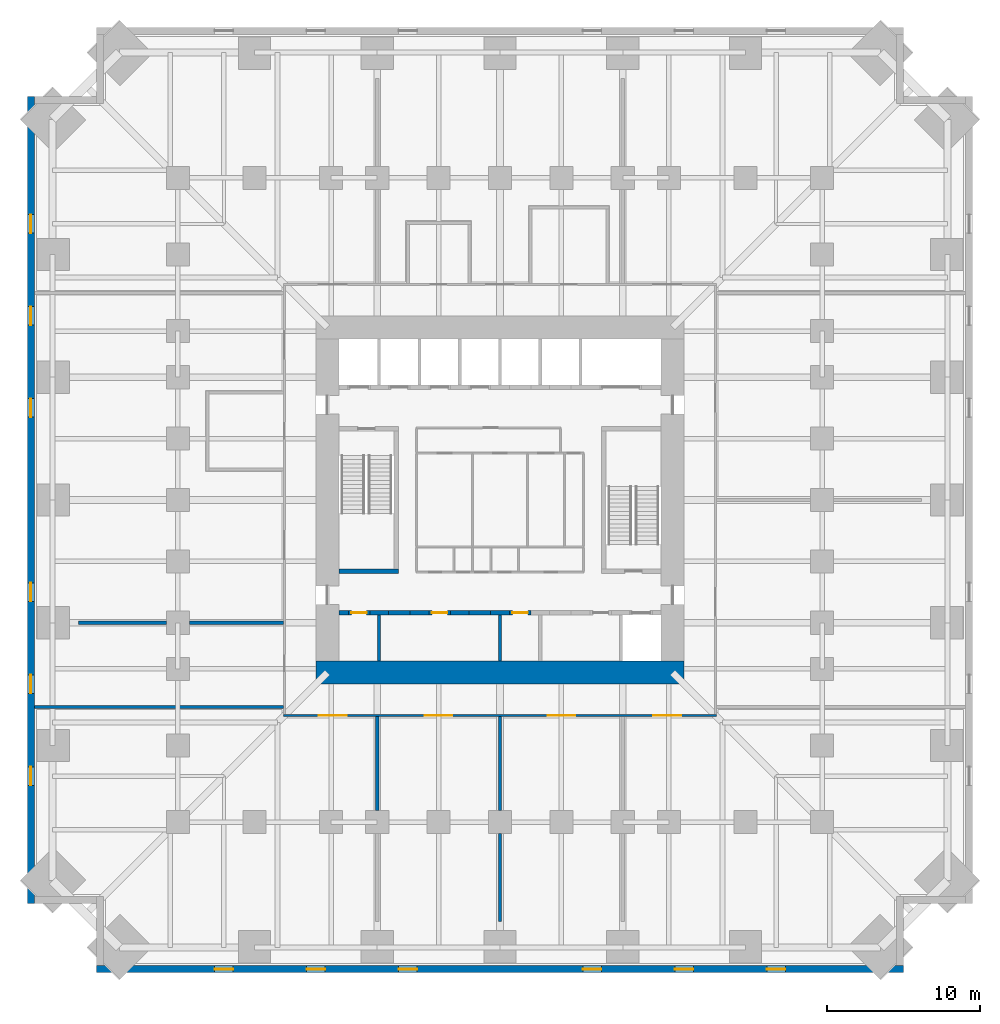
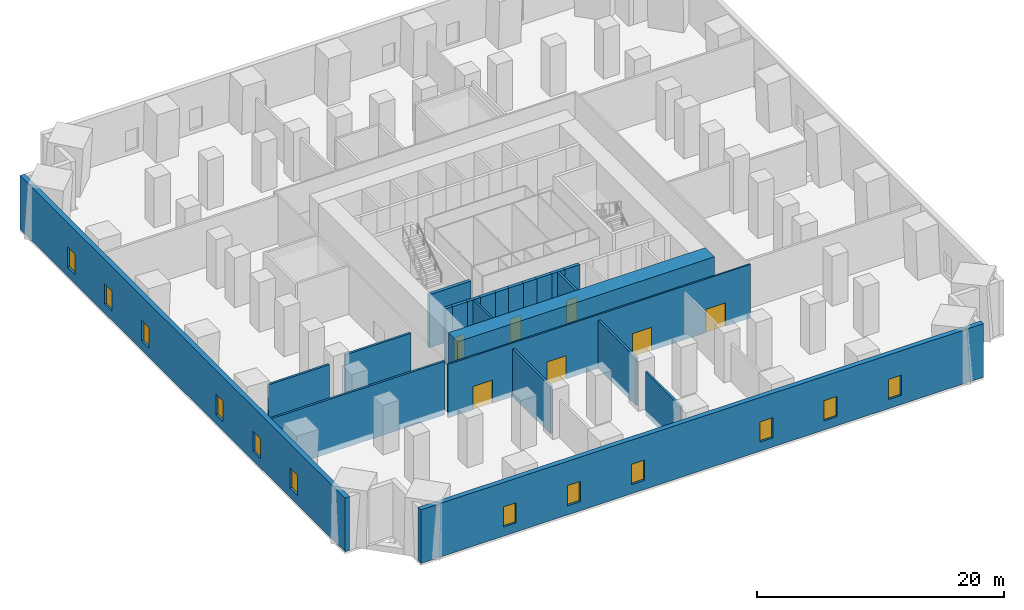
# One storey, part 3 of 8: 23 walls, 12 windows, 7 doors, 19 openings.
"""IFC4 building model written with IfcOpenShell, lengths in metres."""

from ifc_helpers import new_model, si_unit, direction, frame, frame_2d, origin, place, context, subcontext, project, spatial, rectangle, extrude, material, layer, layer_set, type_object, element, fill, save


model = new_model("IFC4")

# Units and contexts
model_context = context("Model", 3, precision=1e-05, world=origin(), true_north=direction((0.0, 1.0)))
body_context = subcontext(model_context, "Body", "Model", "MODEL_VIEW")
ifc_project = project(units=[si_unit("LENGTHUNIT", "METRE"), si_unit("AREAUNIT", "SQUARE_METRE"), si_unit("VOLUMEUNIT", "CUBIC_METRE"), si_unit("PLANEANGLEUNIT", "RADIAN"), si_unit("MASSUNIT", "GRAM", prefix="KILO")], contexts=[model_context])

# Site, building, storey
site_placement = place(None, origin())
site = spatial("IfcSite", under=ifc_project, at=site_placement, CompositionType="ELEMENT")
building_placement = place(site_placement, origin())
building = spatial("IfcBuilding", under=site, at=building_placement, Name="Peilmerk Tower", CompositionType="ELEMENT")
storey_placement = place(building_placement, frame((0.0, 0.0, 43.0)))
storey = spatial("IfcBuildingStorey", under=building, at=storey_placement, Name="L08", CompositionType="ELEMENT", Elevation=43.0)

# Wall, openings, windows
ifc_material_1 = material(Name="Precast concrete C45/55, board-marked finish", Category="concrete")
ifc_layer_1 = layer(ifc_material_1, 0.449951171875)
ifc_layer_set_1 = layer_set([ifc_layer_1], Name="Precast concrete C45/55, board-marked finish")
wall_type_1 = type_object("IfcWallType", Name="EW1 450 precast concrete facade wall, board-marked", PredefinedType="SOLIDWALL", material=ifc_layer_set_1)
wall_1_placement = place(storey_placement, frame((-26.300048828125, -30.574951171875, 0.0), z_axis=(0.0, 0.0, 1.0), x_axis=(1.0, 0.0, 0.0)))
wall_1 = element("IfcWall", 1, at=wall_1_placement, inside=storey, type_object=wall_type_1, Name="Facade wall S L08", PredefinedType="SOLIDWALL", context=body_context, shape_type="SweptSolid", body=[
    extrude(rectangle(XDim=52.60009765625, YDim=0.449951171875, at=frame_2d((26.300048828125, 0.0))), origin(), (0.0, 0.0, 1.0), 5.300048828125),
])
opening_1_placement = place(wall_1_placement, frame((7.699951171875, 0.0, 0.89990234375)))
opening_1 = element("IfcOpeningElement", 2, at=opening_1_placement, cuts=wall_1, Name="Opening W2", PredefinedType="OPENING", context=body_context, shape_type="SweptSolid", body=[
    extrude(rectangle(XDim=1.199951171875, YDim=2.0, at=frame_2d((0.60009765625, 1.0))), frame((0.0, 0.23486328125, 0.0), z_axis=(0.0, -1.0, 0.0), x_axis=(1.0, 0.0, 0.0)), (0.0, 0.0, 1.0), 0.469970703125),
])
opening_2_placement = place(wall_1_placement, frame((13.699951171875, 0.0, 0.89990234375)))
opening_2 = element("IfcOpeningElement", 3, at=opening_2_placement, cuts=wall_1, Name="Opening W2", PredefinedType="OPENING", context=body_context, shape_type="SweptSolid", body=[
    extrude(rectangle(XDim=1.199951171875, YDim=2.0, at=frame_2d((0.60009765625, 1.0))), frame((0.0, 0.23486328125, 0.0), z_axis=(0.0, -1.0, 0.0), x_axis=(1.0, 0.0, 0.0)), (0.0, 0.0, 1.0), 0.469970703125),
])
opening_3_placement = place(wall_1_placement, frame((19.699951171875, 0.0, 0.89990234375)))
opening_3 = element("IfcOpeningElement", 4, at=opening_3_placement, cuts=wall_1, Name="Opening W2", PredefinedType="OPENING", context=body_context, shape_type="SweptSolid", body=[
    extrude(rectangle(XDim=1.199951171875, YDim=2.0, at=frame_2d((0.60009765625, 1.0))), frame((0.0, 0.23486328125, 0.0), z_axis=(0.0, -1.0, 0.0), x_axis=(1.0, 0.0, 0.0)), (0.0, 0.0, 1.0), 0.469970703125),
])
opening_4_placement = place(wall_1_placement, frame((31.699951171875, 0.0, 0.89990234375)))
opening_4 = element("IfcOpeningElement", 5, at=opening_4_placement, cuts=wall_1, Name="Opening W2", PredefinedType="OPENING", context=body_context, shape_type="SweptSolid", body=[
    extrude(rectangle(XDim=1.199951171875, YDim=2.0, at=frame_2d((0.60009765625, 1.0))), frame((0.0, 0.23486328125, 0.0), z_axis=(0.0, -1.0, 0.0), x_axis=(1.0, 0.0, 0.0)), (0.0, 0.0, 1.0), 0.469970703125),
])
opening_5_placement = place(wall_1_placement, frame((37.699951171875, 0.0, 0.89990234375)))
opening_5 = element("IfcOpeningElement", 6, at=opening_5_placement, cuts=wall_1, Name="Opening W2", PredefinedType="OPENING", context=body_context, shape_type="SweptSolid", body=[
    extrude(rectangle(XDim=1.199951171875, YDim=2.0, at=frame_2d((0.60009765625, 1.0))), frame((0.0, 0.23486328125, 0.0), z_axis=(0.0, -1.0, 0.0), x_axis=(1.0, 0.0, 0.0)), (0.0, 0.0, 1.0), 0.469970703125),
])
opening_6_placement = place(wall_1_placement, frame((43.699951171875, 0.0, 0.89990234375)))
opening_6 = element("IfcOpeningElement", 7, at=opening_6_placement, cuts=wall_1, Name="Opening W2", PredefinedType="OPENING", context=body_context, shape_type="SweptSolid", body=[
    extrude(rectangle(XDim=1.199951171875, YDim=2.0, at=frame_2d((0.60009765625, 1.0))), frame((0.0, 0.23486328125, 0.0), z_axis=(0.0, -1.0, 0.0), x_axis=(1.0, 0.0, 0.0)), (0.0, 0.0, 1.0), 0.469970703125),
])
ifc_material_2 = material(Name="Aluminium frame, clear double glazing", Category="aluminium")
window_type = type_object("IfcWindowType", Name="W2 1200x2000 data hall slot window", PartitioningType="SINGLE_PANEL", PredefinedType="WINDOW", material=ifc_material_2)
window_1_placement = place(opening_1_placement, origin())
window_1 = element("IfcWindow", 8, at=window_1_placement, inside=storey, type_object=window_type, Name="Window W2 L08", OverallHeight=2.0, OverallWidth=1.199951171875, PartitioningType="SINGLE_PANEL", PredefinedType="WINDOW", context=body_context, shape_type="SweptSolid", body=[
    extrude(rectangle(XDim=1.199951171875, YDim=2.0, at=frame_2d((0.60009765625, 1.0))), frame((0.0, 0.030029296875, 0.0), z_axis=(0.0, -1.0, 0.0), x_axis=(1.0, 0.0, 0.0)), (0.0, 0.0, 1.0), 0.06005859375),
])
fill(opening_1, window_1)
window_2_placement = place(opening_2_placement, origin())
window_2 = element("IfcWindow", 9, at=window_2_placement, inside=storey, type_object=window_type, Name="Window W2 L08", OverallHeight=2.0, OverallWidth=1.199951171875, PartitioningType="SINGLE_PANEL", PredefinedType="WINDOW", context=body_context, shape_type="SweptSolid", body=[
    extrude(rectangle(XDim=1.199951171875, YDim=2.0, at=frame_2d((0.60009765625, 1.0))), frame((0.0, 0.030029296875, 0.0), z_axis=(0.0, -1.0, 0.0), x_axis=(1.0, 0.0, 0.0)), (0.0, 0.0, 1.0), 0.06005859375),
])
fill(opening_2, window_2)
window_3_placement = place(opening_3_placement, origin())
window_3 = element("IfcWindow", 10, at=window_3_placement, inside=storey, type_object=window_type, Name="Window W2 L08", OverallHeight=2.0, OverallWidth=1.199951171875, PartitioningType="SINGLE_PANEL", PredefinedType="WINDOW", context=body_context, shape_type="SweptSolid", body=[
    extrude(rectangle(XDim=1.199951171875, YDim=2.0, at=frame_2d((0.60009765625, 1.0))), frame((0.0, 0.030029296875, 0.0), z_axis=(0.0, -1.0, 0.0), x_axis=(1.0, 0.0, 0.0)), (0.0, 0.0, 1.0), 0.06005859375),
])
fill(opening_3, window_3)
window_4_placement = place(opening_4_placement, origin())
window_4 = element("IfcWindow", 11, at=window_4_placement, inside=storey, type_object=window_type, Name="Window W2 L08", OverallHeight=2.0, OverallWidth=1.199951171875, PartitioningType="SINGLE_PANEL", PredefinedType="WINDOW", context=body_context, shape_type="SweptSolid", body=[
    extrude(rectangle(XDim=1.199951171875, YDim=2.0, at=frame_2d((0.60009765625, 1.0))), frame((0.0, 0.030029296875, 0.0), z_axis=(0.0, -1.0, 0.0), x_axis=(1.0, 0.0, 0.0)), (0.0, 0.0, 1.0), 0.06005859375),
])
fill(opening_4, window_4)
window_5_placement = place(opening_5_placement, origin())
window_5 = element("IfcWindow", 12, at=window_5_placement, inside=storey, type_object=window_type, Name="Window W2 L08", OverallHeight=2.0, OverallWidth=1.199951171875, PartitioningType="SINGLE_PANEL", PredefinedType="WINDOW", context=body_context, shape_type="SweptSolid", body=[
    extrude(rectangle(XDim=1.199951171875, YDim=2.0, at=frame_2d((0.60009765625, 1.0))), frame((0.0, 0.030029296875, 0.0), z_axis=(0.0, -1.0, 0.0), x_axis=(1.0, 0.0, 0.0)), (0.0, 0.0, 1.0), 0.06005859375),
])
fill(opening_5, window_5)
window_6_placement = place(opening_6_placement, origin())
window_6 = element("IfcWindow", 13, at=window_6_placement, inside=storey, type_object=window_type, Name="Window W2 L08", OverallHeight=2.0, OverallWidth=1.199951171875, PartitioningType="SINGLE_PANEL", PredefinedType="WINDOW", context=body_context, shape_type="SweptSolid", body=[
    extrude(rectangle(XDim=1.199951171875, YDim=2.0, at=frame_2d((0.60009765625, 1.0))), frame((0.0, 0.030029296875, 0.0), z_axis=(0.0, -1.0, 0.0), x_axis=(1.0, 0.0, 0.0)), (0.0, 0.0, 1.0), 0.06005859375),
])
fill(opening_6, window_6)

wall_2_placement = place(storey_placement, frame((-30.574951171875, 26.300048828125, 0.0), z_axis=(0.0, 0.0, 1.0), x_axis=(0.0, -1.0, 0.0)))
wall_2 = element("IfcWall", 14, at=wall_2_placement, inside=storey, type_object=wall_type_1, Name="Facade wall W L08", PredefinedType="SOLIDWALL", context=body_context, shape_type="SweptSolid", body=[
    extrude(rectangle(XDim=52.60009765625, YDim=0.449951171875, at=frame_2d((26.300048828125, 0.0))), origin(), (0.0, 0.0, 1.0), 5.300048828125),
])
opening_7_placement = place(wall_2_placement, frame((7.699951171875, 0.0, 0.89990234375)))
opening_7 = element("IfcOpeningElement", 15, at=opening_7_placement, cuts=wall_2, Name="Opening W2", PredefinedType="OPENING", context=body_context, shape_type="SweptSolid", body=[
    extrude(rectangle(XDim=1.199951171875, YDim=2.0, at=frame_2d((0.60009765625, 1.0))), frame((0.0, 0.23486328125, 0.0), z_axis=(0.0, -1.0, 0.0), x_axis=(1.0, 0.0, 0.0)), (0.0, 0.0, 1.0), 0.469970703125),
])
opening_8_placement = place(wall_2_placement, frame((13.699951171875, 0.0, 0.89990234375)))
opening_8 = element("IfcOpeningElement", 16, at=opening_8_placement, cuts=wall_2, Name="Opening W2", PredefinedType="OPENING", context=body_context, shape_type="SweptSolid", body=[
    extrude(rectangle(XDim=1.199951171875, YDim=2.0, at=frame_2d((0.60009765625, 1.0))), frame((0.0, 0.23486328125, 0.0), z_axis=(0.0, -1.0, 0.0), x_axis=(1.0, 0.0, 0.0)), (0.0, 0.0, 1.0), 0.469970703125),
])
opening_9_placement = place(wall_2_placement, frame((19.699951171875, 0.0, 0.89990234375)))
opening_9 = element("IfcOpeningElement", 17, at=opening_9_placement, cuts=wall_2, Name="Opening W2", PredefinedType="OPENING", context=body_context, shape_type="SweptSolid", body=[
    extrude(rectangle(XDim=1.199951171875, YDim=2.0, at=frame_2d((0.60009765625, 1.0))), frame((0.0, 0.23486328125, 0.0), z_axis=(0.0, -1.0, 0.0), x_axis=(1.0, 0.0, 0.0)), (0.0, 0.0, 1.0), 0.469970703125),
])
opening_10_placement = place(wall_2_placement, frame((31.699951171875, 0.0, 0.89990234375)))
opening_10 = element("IfcOpeningElement", 18, at=opening_10_placement, cuts=wall_2, Name="Opening W2", PredefinedType="OPENING", context=body_context, shape_type="SweptSolid", body=[
    extrude(rectangle(XDim=1.199951171875, YDim=2.0, at=frame_2d((0.60009765625, 1.0))), frame((0.0, 0.23486328125, 0.0), z_axis=(0.0, -1.0, 0.0), x_axis=(1.0, 0.0, 0.0)), (0.0, 0.0, 1.0), 0.469970703125),
])
opening_11_placement = place(wall_2_placement, frame((37.699951171875, 0.0, 0.89990234375)))
opening_11 = element("IfcOpeningElement", 19, at=opening_11_placement, cuts=wall_2, Name="Opening W2", PredefinedType="OPENING", context=body_context, shape_type="SweptSolid", body=[
    extrude(rectangle(XDim=1.199951171875, YDim=2.0, at=frame_2d((0.60009765625, 1.0))), frame((0.0, 0.23486328125, 0.0), z_axis=(0.0, -1.0, 0.0), x_axis=(1.0, 0.0, 0.0)), (0.0, 0.0, 1.0), 0.469970703125),
])
opening_12_placement = place(wall_2_placement, frame((43.699951171875, 0.0, 0.89990234375)))
opening_12 = element("IfcOpeningElement", 20, at=opening_12_placement, cuts=wall_2, Name="Opening W2", PredefinedType="OPENING", context=body_context, shape_type="SweptSolid", body=[
    extrude(rectangle(XDim=1.199951171875, YDim=2.0, at=frame_2d((0.60009765625, 1.0))), frame((0.0, 0.23486328125, 0.0), z_axis=(0.0, -1.0, 0.0), x_axis=(1.0, 0.0, 0.0)), (0.0, 0.0, 1.0), 0.469970703125),
])
window_7_placement = place(opening_7_placement, origin())
window_7 = element("IfcWindow", 21, at=window_7_placement, inside=storey, type_object=window_type, Name="Window W2 L08", OverallHeight=2.0, OverallWidth=1.199951171875, PartitioningType="SINGLE_PANEL", PredefinedType="WINDOW", context=body_context, shape_type="SweptSolid", body=[
    extrude(rectangle(XDim=1.199951171875, YDim=2.0, at=frame_2d((0.60009765625, 1.0))), frame((0.0, 0.030029296875, 0.0), z_axis=(0.0, -1.0, 0.0), x_axis=(1.0, 0.0, 0.0)), (0.0, 0.0, 1.0), 0.06005859375),
])
fill(opening_7, window_7)
window_8_placement = place(opening_8_placement, origin())
window_8 = element("IfcWindow", 22, at=window_8_placement, inside=storey, type_object=window_type, Name="Window W2 L08", OverallHeight=2.0, OverallWidth=1.199951171875, PartitioningType="SINGLE_PANEL", PredefinedType="WINDOW", context=body_context, shape_type="SweptSolid", body=[
    extrude(rectangle(XDim=1.199951171875, YDim=2.0, at=frame_2d((0.60009765625, 1.0))), frame((0.0, 0.030029296875, 0.0), z_axis=(0.0, -1.0, 0.0), x_axis=(1.0, 0.0, 0.0)), (0.0, 0.0, 1.0), 0.06005859375),
])
fill(opening_8, window_8)
window_9_placement = place(opening_9_placement, origin())
window_9 = element("IfcWindow", 23, at=window_9_placement, inside=storey, type_object=window_type, Name="Window W2 L08", OverallHeight=2.0, OverallWidth=1.199951171875, PartitioningType="SINGLE_PANEL", PredefinedType="WINDOW", context=body_context, shape_type="SweptSolid", body=[
    extrude(rectangle(XDim=1.199951171875, YDim=2.0, at=frame_2d((0.60009765625, 1.0))), frame((0.0, 0.030029296875, 0.0), z_axis=(0.0, -1.0, 0.0), x_axis=(1.0, 0.0, 0.0)), (0.0, 0.0, 1.0), 0.06005859375),
])
fill(opening_9, window_9)
window_10_placement = place(opening_10_placement, origin())
window_10 = element("IfcWindow", 24, at=window_10_placement, inside=storey, type_object=window_type, Name="Window W2 L08", OverallHeight=2.0, OverallWidth=1.199951171875, PartitioningType="SINGLE_PANEL", PredefinedType="WINDOW", context=body_context, shape_type="SweptSolid", body=[
    extrude(rectangle(XDim=1.199951171875, YDim=2.0, at=frame_2d((0.60009765625, 1.0))), frame((0.0, 0.030029296875, 0.0), z_axis=(0.0, -1.0, 0.0), x_axis=(1.0, 0.0, 0.0)), (0.0, 0.0, 1.0), 0.06005859375),
])
fill(opening_10, window_10)
window_11_placement = place(opening_11_placement, origin())
window_11 = element("IfcWindow", 25, at=window_11_placement, inside=storey, type_object=window_type, Name="Window W2 L08", OverallHeight=2.0, OverallWidth=1.199951171875, PartitioningType="SINGLE_PANEL", PredefinedType="WINDOW", context=body_context, shape_type="SweptSolid", body=[
    extrude(rectangle(XDim=1.199951171875, YDim=2.0, at=frame_2d((0.60009765625, 1.0))), frame((0.0, 0.030029296875, 0.0), z_axis=(0.0, -1.0, 0.0), x_axis=(1.0, 0.0, 0.0)), (0.0, 0.0, 1.0), 0.06005859375),
])
fill(opening_11, window_11)
window_12_placement = place(opening_12_placement, origin())
window_12 = element("IfcWindow", 26, at=window_12_placement, inside=storey, type_object=window_type, Name="Window W2 L08", OverallHeight=2.0, OverallWidth=1.199951171875, PartitioningType="SINGLE_PANEL", PredefinedType="WINDOW", context=body_context, shape_type="SweptSolid", body=[
    extrude(rectangle(XDim=1.199951171875, YDim=2.0, at=frame_2d((0.60009765625, 1.0))), frame((0.0, 0.030029296875, 0.0), z_axis=(0.0, -1.0, 0.0), x_axis=(1.0, 0.0, 0.0)), (0.0, 0.0, 1.0), 0.06005859375),
])
fill(opening_12, window_12)

# Wall, openings, doors
ifc_material_3 = material(Name="Calcium silicate block", Category="masonry")
ifc_layer_2 = layer(ifc_material_3, 0.14990234375)
ifc_layer_set_2 = layer_set([ifc_layer_2], Name="Calcium silicate block")
wall_type_2 = type_object("IfcWallType", Name="IW1 150 corridor partition, EI 60", PredefinedType="PARTITIONING", material=ifc_layer_set_2)
wall_3_placement = place(storey_placement, frame((14.125, -14.050048828125, 0.0), z_axis=(0.0, 0.0, 1.0), x_axis=(-1.0, 0.0, 0.0)))
wall_3 = element("IfcWall", 27, at=wall_3_placement, inside=storey, type_object=wall_type_2, Name="Corridor wall S L08", PredefinedType="PARTITIONING", context=body_context, shape_type="SweptSolid", body=[
    extrude(rectangle(XDim=28.25, YDim=0.14990234375, at=frame_2d((14.125, 0.0))), origin(), (0.0, 0.0, 1.0), 5.300048828125),
])
opening_13_placement = place(wall_3_placement, frame((24.125, 0.0, 0.0)))
opening_13 = element("IfcOpeningElement", 28, at=opening_13_placement, cuts=wall_3, Name="Opening D2", PredefinedType="OPENING", context=body_context, shape_type="SweptSolid", body=[
    extrude(rectangle(XDim=1.800048828125, YDim=2.300048828125, at=frame_2d((0.89990234375, 1.14990234375))), frame((0.0, 0.0849609375, 0.0), z_axis=(0.0, -1.0, 0.0), x_axis=(1.0, 0.0, 0.0)), (0.0, 0.0, 1.0), 0.169921875),
])
opening_14_placement = place(wall_3_placement, frame((17.22509765625, 0.0, 0.0)))
opening_14 = element("IfcOpeningElement", 29, at=opening_14_placement, cuts=wall_3, Name="Opening D2", PredefinedType="OPENING", context=body_context, shape_type="SweptSolid", body=[
    extrude(rectangle(XDim=1.800048828125, YDim=2.300048828125, at=frame_2d((0.89990234375, 1.14990234375))), frame((0.0, 0.0849609375, 0.0), z_axis=(0.0, -1.0, 0.0), x_axis=(1.0, 0.0, 0.0)), (0.0, 0.0, 1.0), 0.169921875),
])
opening_15_placement = place(wall_3_placement, frame((9.22509765625, 0.0, 0.0)))
opening_15 = element("IfcOpeningElement", 30, at=opening_15_placement, cuts=wall_3, Name="Opening D2", PredefinedType="OPENING", context=body_context, shape_type="SweptSolid", body=[
    extrude(rectangle(XDim=1.800048828125, YDim=2.300048828125, at=frame_2d((0.89990234375, 1.14990234375))), frame((0.0, 0.0849609375, 0.0), z_axis=(0.0, -1.0, 0.0), x_axis=(1.0, 0.0, 0.0)), (0.0, 0.0, 1.0), 0.169921875),
])
opening_16_placement = place(wall_3_placement, frame((2.324951171875, 0.0, 0.0)))
opening_16 = element("IfcOpeningElement", 31, at=opening_16_placement, cuts=wall_3, Name="Opening D2", PredefinedType="OPENING", context=body_context, shape_type="SweptSolid", body=[
    extrude(rectangle(XDim=1.800048828125, YDim=2.300048828125, at=frame_2d((0.89990234375, 1.14990234375))), frame((0.0, 0.0849609375, 0.0), z_axis=(0.0, -1.0, 0.0), x_axis=(1.0, 0.0, 0.0)), (0.0, 0.0, 1.0), 0.169921875),
])
ifc_material_4 = material(Name="Steel door in steel frame", Category="steel")
door_type_1 = type_object("IfcDoorType", Name="D2 1800x2300 double door, EI2 60", OperationType="DOUBLE_DOOR_DOUBLE_SWING", PredefinedType="DOOR", material=ifc_material_4)
door_1_placement = place(opening_13_placement, origin())
door_1 = element("IfcDoor", 32, at=door_1_placement, inside=storey, type_object=door_type_1, Name="Door Cross-connect room L08", OperationType="DOUBLE_DOOR_DOUBLE_SWING", OverallHeight=2.300048828125, OverallWidth=1.800048828125, PredefinedType="DOOR", context=body_context, shape_type="SweptSolid", body=[
    extrude(rectangle(XDim=1.800048828125, YDim=2.300048828125, at=frame_2d((0.89990234375, 1.14990234375))), frame((0.0, 0.02490234375, 0.0), z_axis=(0.0, -1.0, 0.0), x_axis=(1.0, 0.0, 0.0)), (0.0, 0.0, 1.0), 0.050048828125),
])
fill(opening_13, door_1)
door_2_placement = place(opening_14_placement, origin())
door_2 = element("IfcDoor", 33, at=door_2_placement, inside=storey, type_object=door_type_1, Name="Door Meet-me room B L08", OperationType="DOUBLE_DOOR_DOUBLE_SWING", OverallHeight=2.300048828125, OverallWidth=1.800048828125, PredefinedType="DOOR", context=body_context, shape_type="SweptSolid", body=[
    extrude(rectangle(XDim=1.800048828125, YDim=2.300048828125, at=frame_2d((0.89990234375, 1.14990234375))), frame((0.0, 0.02490234375, 0.0), z_axis=(0.0, -1.0, 0.0), x_axis=(1.0, 0.0, 0.0)), (0.0, 0.0, 1.0), 0.050048828125),
])
fill(opening_14, door_2)
door_3_placement = place(opening_15_placement, origin())
door_3 = element("IfcDoor", 34, at=door_3_placement, inside=storey, type_object=door_type_1, Name="Door Carrier room L08", OperationType="DOUBLE_DOOR_DOUBLE_SWING", OverallHeight=2.300048828125, OverallWidth=1.800048828125, PredefinedType="DOOR", context=body_context, shape_type="SweptSolid", body=[
    extrude(rectangle(XDim=1.800048828125, YDim=2.300048828125, at=frame_2d((0.89990234375, 1.14990234375))), frame((0.0, 0.02490234375, 0.0), z_axis=(0.0, -1.0, 0.0), x_axis=(1.0, 0.0, 0.0)), (0.0, 0.0, 1.0), 0.050048828125),
])
fill(opening_15, door_3)
door_4_placement = place(opening_16_placement, origin())
door_4 = element("IfcDoor", 35, at=door_4_placement, inside=storey, type_object=door_type_1, Name="Door Network room L08", OperationType="DOUBLE_DOOR_DOUBLE_SWING", OverallHeight=2.300048828125, OverallWidth=1.800048828125, PredefinedType="DOOR", context=body_context, shape_type="SweptSolid", body=[
    extrude(rectangle(XDim=1.800048828125, YDim=2.300048828125, at=frame_2d((0.89990234375, 1.14990234375))), frame((0.0, 0.02490234375, 0.0), z_axis=(0.0, -1.0, 0.0), x_axis=(1.0, 0.0, 0.0)), (0.0, 0.0, 1.0), 0.050048828125),
])
fill(opening_16, door_4)

# Walls
ifc_layer_3 = layer(ifc_material_3, 0.199951171875)
ifc_layer_set_3 = layer_set([ifc_layer_3], Name="Calcium silicate block")
wall_type_3 = type_object("IfcWallType", Name="IW2 200 room separating wall, EI 120", PredefinedType="PARTITIONING", material=ifc_layer_set_3)
wall_4_placement = place(storey_placement, frame((-14.125, -13.5, 0.0), z_axis=(0.0, 0.0, 1.0), x_axis=(-1.0, 0.0, 0.0)))
element("IfcWall", 36, at=wall_4_placement, inside=storey, type_object=wall_type_3, Name="Room separating wall SW L08", PredefinedType="PARTITIONING", context=body_context, shape_type="SweptSolid", body=[
    extrude(rectangle(XDim=16.22509765625, YDim=0.199951171875, at=frame_2d((8.112548828125, 0.0))), origin(), (0.0, 0.0, 1.0), 5.300048828125),
])
for number, where, z_axis, x_axis, name in (
    (37, (-8.0, -14.125, 0.0), (0.0, 0.0, 1.0), (0.0, -1.0, 0.0), "Room separating wall S1 L08"),
    (38, (0.0, -14.125, 0.0), (0.0, 0.0, 1.0), (0.0, -1.0, 0.0), "Room separating wall S2 L08"),
):
    element("IfcWall", number, at=place(storey_placement, frame(where, z_axis=z_axis, x_axis=x_axis)), inside=storey, type_object=wall_type_3, Name=name, PredefinedType="PARTITIONING", context=body_context, shape_type="SweptSolid", body=[
        extrude(rectangle(XDim=6.125, YDim=0.199951171875, at=frame_2d((3.0625, 0.0))), origin(), (0.0, 0.0, 1.0), 4.73095703125),
    ])
wall_5_placement = place(storey_placement, frame((0.0, -21.75, 0.0), z_axis=(0.0, 0.0, 1.0), x_axis=(0.0, -1.0, 0.0)))
element("IfcWall", 39, at=wall_5_placement, inside=storey, type_object=wall_type_3, Name="Room separating wall S2b L08", PredefinedType="PARTITIONING", context=body_context, shape_type="SweptSolid", body=[
    extrude(rectangle(XDim=5.706298828125, YDim=0.199951171875, at=frame_2d((2.85302734375, 0.0))), origin(), (0.0, 0.0, 1.0), 4.2919921875),
])
wall_6_placement = place(storey_placement, frame((-14.125, -8.0, 0.0), z_axis=(0.0, 0.0, 1.0), x_axis=(-1.0, 0.0, 0.0)))
element("IfcWall", 40, at=wall_6_placement, inside=storey, type_object=wall_type_3, Name="Room separating wall W1 L08", PredefinedType="PARTITIONING", context=body_context, shape_type="SweptSolid", body=[
    extrude(rectangle(XDim=6.125, YDim=0.199951171875, at=frame_2d((3.0625, 0.0))), origin(), (0.0, 0.0, 1.0), 4.73095703125),
])
wall_7_placement = place(storey_placement, frame((-21.75, -8.0, 0.0), z_axis=(0.0, 0.0, 1.0), x_axis=(-1.0, 0.0, 0.0)))
element("IfcWall", 41, at=wall_7_placement, inside=storey, type_object=wall_type_3, Name="Room separating wall W1b L08", PredefinedType="PARTITIONING", context=body_context, shape_type="SweptSolid", body=[
    extrude(rectangle(XDim=5.706298828125, YDim=0.199951171875, at=frame_2d((2.85302734375, 0.0))), origin(), (0.0, 0.0, 1.0), 4.2919921875),
])
ifc_material_5 = material(Name="Concrete C35/45", Category="concrete")
ifc_layer_4 = layer(ifc_material_5, 0.300048828125)
ifc_layer_set_4 = layer_set([ifc_layer_4], Name="Concrete C35/45")
wall_type_4 = type_object("IfcWallType", Name="IW3 300 concrete stair enclosure wall, EI 120", PredefinedType="SOLIDWALL", material=ifc_layer_set_4)
wall_8_placement = place(storey_placement, frame((-6.60009765625, -4.64990234375, 0.0), z_axis=(0.0, 0.0, 1.0), x_axis=(-1.0, 0.0, 0.0)))
element("IfcWall", 42, at=wall_8_placement, inside=storey, type_object=wall_type_4, Name="Stair 1 enclosure L08", PredefinedType="SOLIDWALL", context=body_context, shape_type="SweptSolid", body=[
    extrude(rectangle(XDim=3.89990234375, YDim=0.300048828125, at=frame_2d((1.949951171875, 0.0))), origin(), (0.0, 0.0, 1.0), 5.25),
])
ifc_layer_5 = layer(ifc_material_3, 0.199951171875)
ifc_layer_set_5 = layer_set([ifc_layer_5], Name="Calcium silicate block")
wall_type_5 = type_object("IfcWallType", Name="SH1 200 shaft dividing wall, EI 120", PredefinedType="PARTITIONING", material=ifc_layer_set_5)
for number, where, z_axis, x_axis, name in (
    (43, (-7.875, -10.5, 0.0), (0.0, 0.0, 1.0), (0.0, 1.0, 0.0), "Shaft wall S C4 L08"),
    (44, (0.0, -10.5, 0.0), (0.0, 0.0, 1.0), (0.0, 1.0, 0.0), "Shaft wall S C1 L08"),
):
    element("IfcWall", number, at=place(storey_placement, frame(where, z_axis=z_axis, x_axis=x_axis)), inside=storey, type_object=wall_type_5, Name=name, PredefinedType="PARTITIONING", context=body_context, shape_type="SweptSolid", body=[
        extrude(rectangle(XDim=3.0, YDim=0.199951171875, at=frame_2d((1.5, 0.0))), origin(), (0.0, 0.0, 1.0), 5.5),
    ])

# Wall, opening, door
ifc_layer_6 = layer(ifc_material_3, 0.300048828125)
ifc_layer_set_6 = layer_set([ifc_layer_6], Name="Calcium silicate block")
wall_type_6 = type_object("IfcWallType", Name="SH2 300 lift landing door panel, EI 120", PredefinedType="PARTITIONING", material=ifc_layer_set_6)
wall_9_placement = place(storey_placement, frame((-9.887451171875, -7.35009765625, 0.0), z_axis=(0.0, 0.0, 1.0), x_axis=(1.0, 0.0, 0.0)))
wall_9 = element("IfcWall", 45, at=wall_9_placement, inside=storey, type_object=wall_type_6, Name="Lift door panel S C4 L08", PredefinedType="PARTITIONING", context=body_context, shape_type="SweptSolid", body=[
    extrude(rectangle(XDim=1.39990234375, YDim=0.300048828125, at=frame_2d((0.699951171875, 0.0))), origin(), (0.0, 0.0, 1.0), 5.5),
])
opening_17_placement = place(wall_9_placement, frame((0.199951171875, 0.0, 0.0)))
opening_17 = element("IfcOpeningElement", 46, at=opening_17_placement, cuts=wall_9, Name="Opening D10", PredefinedType="OPENING", context=body_context, shape_type="SweptSolid", body=[
    extrude(rectangle(XDim=1.0, YDim=2.300048828125, at=frame_2d((0.5, 1.14990234375))), frame((0.0, 0.159912109375, 0.0), z_axis=(0.0, -1.0, 0.0), x_axis=(1.0, 0.0, 0.0)), (0.0, 0.0, 1.0), 0.320068359375),
])
door_type_2 = type_object("IfcDoorType", Name="D10 1000x2300 core room door, EI2 60", OperationType="SINGLE_SWING_RIGHT", PredefinedType="DOOR", material=ifc_material_4)
door_5_placement = place(opening_17_placement, frame((1.0, 0.0, 0.0), z_axis=(0.0, 0.0, 1.0), x_axis=(-1.0, 0.0, 0.0)))
door_5 = element("IfcDoor", 47, at=door_5_placement, inside=storey, type_object=door_type_2, Name="Door Water meter room L08", OperationType="SINGLE_SWING_RIGHT", OverallHeight=2.300048828125, OverallWidth=1.0, PredefinedType="DOOR", context=body_context, shape_type="SweptSolid", body=[
    extrude(rectangle(XDim=1.0, YDim=2.300048828125, at=frame_2d((0.5, 1.14990234375))), frame((0.0, 0.02490234375, 0.0), z_axis=(0.0, -1.0, 0.0), x_axis=(1.0, 0.0, 0.0)), (0.0, 0.0, 1.0), 0.050048828125),
])
fill(opening_17, door_5)

# Wall
wall_10_placement = place(storey_placement, frame((-7.262451171875, -7.35009765625, 0.0), z_axis=(0.0, 0.0, 1.0), x_axis=(1.0, 0.0, 0.0)))
element("IfcWall", 48, at=wall_10_placement, inside=storey, type_object=wall_type_6, Name="Lift door panel S C3 L08", PredefinedType="PARTITIONING", context=body_context, shape_type="SweptSolid", body=[
    extrude(rectangle(XDim=1.39990234375, YDim=0.300048828125, at=frame_2d((0.699951171875, 0.0))), origin(), (0.0, 0.0, 1.0), 5.5),
])

# Wall, opening, door
wall_11_placement = place(storey_placement, frame((-4.637451171875, -7.35009765625, 0.0), z_axis=(0.0, 0.0, 1.0), x_axis=(1.0, 0.0, 0.0)))
wall_11 = element("IfcWall", 49, at=wall_11_placement, inside=storey, type_object=wall_type_6, Name="Lift door panel S C2 L08", PredefinedType="PARTITIONING", context=body_context, shape_type="SweptSolid", body=[
    extrude(rectangle(XDim=1.39990234375, YDim=0.300048828125, at=frame_2d((0.699951171875, 0.0))), origin(), (0.0, 0.0, 1.0), 5.5),
])
opening_18_placement = place(wall_11_placement, frame((0.199951171875, 0.0, 0.0)))
opening_18 = element("IfcOpeningElement", 50, at=opening_18_placement, cuts=wall_11, Name="Opening D10", PredefinedType="OPENING", context=body_context, shape_type="SweptSolid", body=[
    extrude(rectangle(XDim=1.0, YDim=2.300048828125, at=frame_2d((0.5, 1.14990234375))), frame((0.0, 0.159912109375, 0.0), z_axis=(0.0, -1.0, 0.0), x_axis=(1.0, 0.0, 0.0)), (0.0, 0.0, 1.0), 0.320068359375),
])
door_6_placement = place(opening_18_placement, frame((1.0, 0.0, 0.0), z_axis=(0.0, 0.0, 1.0), x_axis=(-1.0, 0.0, 0.0)))
door_6 = element("IfcDoor", 51, at=door_6_placement, inside=storey, type_object=door_type_2, Name="Door IT room L08", OperationType="SINGLE_SWING_RIGHT", OverallHeight=2.300048828125, OverallWidth=1.0, PredefinedType="DOOR", context=body_context, shape_type="SweptSolid", body=[
    extrude(rectangle(XDim=1.0, YDim=2.300048828125, at=frame_2d((0.5, 1.14990234375))), frame((0.0, 0.02490234375, 0.0), z_axis=(0.0, -1.0, 0.0), x_axis=(1.0, 0.0, 0.0)), (0.0, 0.0, 1.0), 0.050048828125),
])
fill(opening_18, door_6)

# Wall
wall_12_placement = place(storey_placement, frame((-2.012451171875, -7.35009765625, 0.0), z_axis=(0.0, 0.0, 1.0), x_axis=(1.0, 0.0, 0.0)))
element("IfcWall", 52, at=wall_12_placement, inside=storey, type_object=wall_type_6, Name="Lift door panel S C1 L08", PredefinedType="PARTITIONING", context=body_context, shape_type="SweptSolid", body=[
    extrude(rectangle(XDim=1.39990234375, YDim=0.300048828125, at=frame_2d((0.699951171875, 0.0))), origin(), (0.0, 0.0, 1.0), 5.5),
])

# Wall, opening, door
wall_13_placement = place(storey_placement, frame((0.612548828125, -7.35009765625, 0.0), z_axis=(0.0, 0.0, 1.0), x_axis=(1.0, 0.0, 0.0)))
wall_13 = element("IfcWall", 53, at=wall_13_placement, inside=storey, type_object=wall_type_6, Name="Lift door panel S B3 L08", PredefinedType="PARTITIONING", context=body_context, shape_type="SweptSolid", body=[
    extrude(rectangle(XDim=1.39990234375, YDim=0.300048828125, at=frame_2d((0.699951171875, 0.0))), origin(), (0.0, 0.0, 1.0), 5.5),
])
opening_19_placement = place(wall_13_placement, frame((0.199951171875, 0.0, 0.0)))
opening_19 = element("IfcOpeningElement", 54, at=opening_19_placement, cuts=wall_13, Name="Opening D10", PredefinedType="OPENING", context=body_context, shape_type="SweptSolid", body=[
    extrude(rectangle(XDim=1.0, YDim=2.300048828125, at=frame_2d((0.5, 1.14990234375))), frame((0.0, 0.159912109375, 0.0), z_axis=(0.0, -1.0, 0.0), x_axis=(1.0, 0.0, 0.0)), (0.0, 0.0, 1.0), 0.320068359375),
])
door_7_placement = place(opening_19_placement, frame((1.0, 0.0, 0.0), z_axis=(0.0, 0.0, 1.0), x_axis=(-1.0, 0.0, 0.0)))
door_7 = element("IfcDoor", 55, at=door_7_placement, inside=storey, type_object=door_type_2, Name="Door Staff WC L08", OperationType="SINGLE_SWING_RIGHT", OverallHeight=2.300048828125, OverallWidth=1.0, PredefinedType="DOOR", context=body_context, shape_type="SweptSolid", body=[
    extrude(rectangle(XDim=1.0, YDim=2.300048828125, at=frame_2d((0.5, 1.14990234375))), frame((0.0, 0.02490234375, 0.0), z_axis=(0.0, -1.0, 0.0), x_axis=(1.0, 0.0, 0.0)), (0.0, 0.0, 1.0), 0.050048828125),
])
fill(opening_19, door_7)

# Walls
ifc_material_6 = material(Name="Concrete C55/67", Category="concrete")
ifc_layer_7 = layer(ifc_material_6, 1.5)
ifc_layer_set_7 = layer_set([ifc_layer_7], Name="Concrete C55/67")
wall_type_7 = type_object("IfcWallType", Name="SW1 1500 core wall", PredefinedType="SHEAR", material=ifc_layer_set_7)
wall_14_placement = place(storey_placement, frame((12.0, -11.25, 0.0), z_axis=(0.0, 0.0, 1.0), x_axis=(-1.0, 0.0, 0.0)))
element("IfcWall", 56, at=wall_14_placement, inside=storey, type_object=wall_type_7, Name="Core wall S L08", PredefinedType="SHEAR", context=body_context, shape_type="SweptSolid", body=[
    extrude(rectangle(XDim=24.0, YDim=1.5, at=frame_2d((12.0, 0.0))), origin(), (0.0, 0.0, 1.0), 5.5),
])
ifc_layer_8 = layer(ifc_material_6, 0.300048828125)
ifc_layer_set_8 = layer_set([ifc_layer_8], Name="Concrete C55/67")
wall_type_8 = type_object("IfcWallType", Name="SW2 300 lift bank pier", PredefinedType="SHEAR", material=ifc_layer_set_8)
wall_15_placement = place(storey_placement, frame((-10.5, -7.35009765625, 0.0), z_axis=(0.0, 0.0, 1.0), x_axis=(1.0, 0.0, 0.0)))
element("IfcWall", 57, at=wall_15_placement, inside=storey, type_object=wall_type_8, Name="Lift bank pier S L08", PredefinedType="SHEAR", context=body_context, shape_type="SweptSolid", body=[
    extrude(rectangle(XDim=0.612548828125, YDim=0.300048828125, at=frame_2d((0.30615234375, 0.0))), origin(), (0.0, 0.0, 1.0), 5.5),
])
for number, where, z_axis, x_axis, name in (
    (58, (-8.487548828125, -7.35009765625, 0.0), (0.0, 0.0, 1.0), (1.0, 0.0, 0.0), "Lift bank pier S L08"),
    (59, (-5.862548828125, -7.35009765625, 0.0), (0.0, 0.0, 1.0), (1.0, 0.0, 0.0), "Lift bank pier S L08"),
    (60, (-3.237548828125, -7.35009765625, 0.0), (0.0, 0.0, 1.0), (1.0, 0.0, 0.0), "Lift bank pier S L08"),
    (61, (-0.612548828125, -7.35009765625, 0.0), (0.0, 0.0, 1.0), (1.0, 0.0, 0.0), "Lift bank pier S L08"),
):
    element("IfcWall", number, at=place(storey_placement, frame(where, z_axis=z_axis, x_axis=x_axis)), inside=storey, type_object=wall_type_8, Name=name, PredefinedType="SHEAR", context=body_context, shape_type="SweptSolid", body=[
        extrude(rectangle(XDim=1.22509765625, YDim=0.300048828125, at=frame_2d((0.612548828125, 0.0))), origin(), (0.0, 0.0, 1.0), 5.5),
    ])

save(model, "model.ifc")
